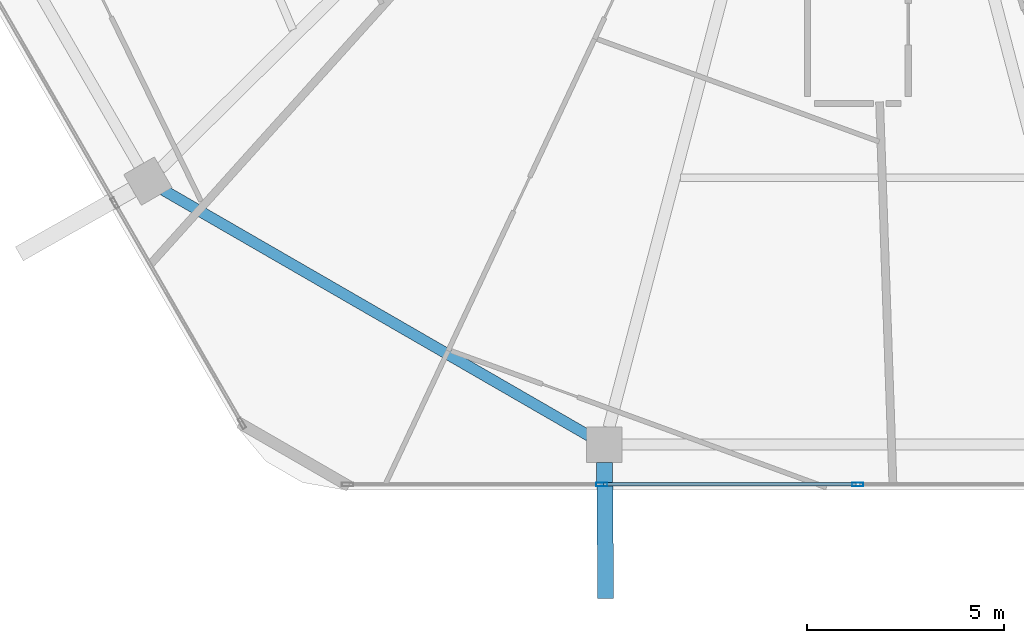
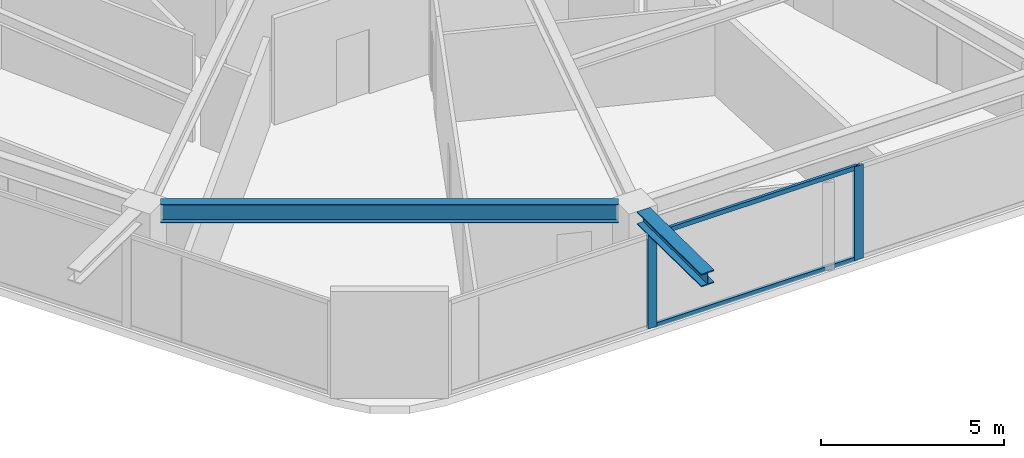
# One storey, part 3 of 25: 4 members, 2 beams, 1 element without a shape of its own.
"""IFC4 building model written with IfcOpenShell, lengths in metres."""

from ifc_helpers import new_model, si_unit, direction, frame, origin, origin_2d, place, context, subcontext, project, spatial, hollow_rectangle, i_section, extrude, material, material_profile, profile_set, type_object, element, aggregate, save


model = new_model("IFC4")

# Units and contexts
model_context = context("Model", 3, precision=1e-05, world=origin(), true_north=direction((0.0, 1.0)))
body_context = subcontext(model_context, "Body", "Model", "MODEL_VIEW")
ifc_project = project(units=[si_unit("LENGTHUNIT", "METRE"), si_unit("AREAUNIT", "SQUARE_METRE"), si_unit("VOLUMEUNIT", "CUBIC_METRE"), si_unit("PLANEANGLEUNIT", "RADIAN"), si_unit("MASSUNIT", "GRAM", prefix="KILO")], contexts=[model_context])

# Site, building, storey
site_placement = place(None, origin())
site = spatial("IfcSite", under=ifc_project, at=site_placement, CompositionType="ELEMENT")
building_placement = place(site_placement, origin())
building = spatial("IfcBuilding", under=site, at=building_placement, Name="Zuhravey Tower", CompositionType="ELEMENT")
storey_placement = place(building_placement, frame((0.0, 0.0, 235.0)))
storey = spatial("IfcBuildingStorey", under=building, at=storey_placement, Name="L59", CompositionType="ELEMENT", Elevation=235.0)

# Curtain wall, members
ifc_material_1 = material(Name="Thermally broken anodised aluminium", Category="aluminium")
curtain_wall_type = type_object("IfcCurtainWallType", Name="Zone 3-4 High-Rise Curtain Wall CW4", PredefinedType="NOTDEFINED", material=ifc_material_1)
curtain_wall_placement = place(storey_placement, origin())
curtain_wall = element("IfcCurtainWall", 1, at=curtain_wall_placement, inside=storey, type_object=curtain_wall_type, Name="L59 CW4 CW-L59-F5-1", PredefinedType="NOTDEFINED")
ifc_material_2 = material(Name="Anodised aluminium", Category="aluminium")
ifc_material_profile_1 = material_profile(ifc_material_2, hollow_rectangle(XDim=0.090087890625, YDim=0.284912109375, WallThickness=0.0048828125, at=origin_2d()), Name="ALU-RHS-90x285x5")
ifc_profile_set_1 = profile_set([ifc_material_profile_1], Name="Anodised aluminium")
member_type_1 = type_object("IfcMemberType", Name="Curtain-Wall Mullion 90x180", PredefinedType="MULLION", material=ifc_profile_set_1)
member_1_placement = place(storey_placement, frame((36.0, 6.436279296875, 0.0), z_axis=(0.0, 0.0, 1.0), x_axis=(0.0, -1.0, 0.0)))
member_1 = element("IfcMember", 2, at=member_1_placement, type_object=member_type_1, Name="CW4 mullion 3", PredefinedType="MULLION", context=body_context, shape_type="SweptSolid", body=[
    extrude(hollow_rectangle(XDim=0.090087890625, YDim=0.284912109375, WallThickness=0.0048828125, at=origin_2d()), origin(), (0.0, 0.0, 1.0), 3.1220703125),
])
member_2_placement = place(storey_placement, frame((29.49365234375, 6.436279296875, 0.0), z_axis=(0.0, 0.0, 1.0), x_axis=(0.0, -1.0, 0.0)))
member_2 = element("IfcMember", 3, at=member_2_placement, type_object=member_type_1, Name="CW4 mullion 4", PredefinedType="MULLION", context=body_context, shape_type="SweptSolid", body=[
    extrude(hollow_rectangle(XDim=0.090087890625, YDim=0.284912109375, WallThickness=0.0048828125, at=origin_2d()), origin(), (0.0, 0.0, 1.0), 3.1220703125),
])
ifc_material_profile_2 = material_profile(ifc_material_2, hollow_rectangle(XDim=0.090087890625, YDim=0.14990234375, WallThickness=0.0048828125, at=origin_2d()), Name="ALU-RHS-90x150x5")
ifc_profile_set_2 = profile_set([ifc_material_profile_2], Name="Anodised aluminium")
member_type_2 = type_object("IfcMemberType", Name="Curtain-Wall Transom 90x150", PredefinedType="USERDEFINED", material=ifc_profile_set_2)
member_3_placement = place(storey_placement, frame((35.955078125, 6.436279296875, 0.044921875), z_axis=(-1.0, 0.0, 0.0), x_axis=(0.0, -1.0, 0.0)))
member_3 = element("IfcMember", 4, at=member_3_placement, type_object=member_type_2, Name="CW4 transom 3.1", ObjectType="TRANSOM", PredefinedType="USERDEFINED", context=body_context, shape_type="SweptSolid", body=[
    extrude(hollow_rectangle(XDim=0.090087890625, YDim=0.14990234375, WallThickness=0.0048828125, at=origin_2d()), origin(), (0.0, 0.0, 1.0), 6.41650390625),
])
member_4_placement = place(storey_placement, frame((35.955078125, 6.436279296875, 3.076904296875), z_axis=(-1.0, 0.0, 0.0), x_axis=(0.0, -1.0, 0.0)))
member_4 = element("IfcMember", 5, at=member_4_placement, type_object=member_type_2, Name="CW4 transom 3.2", ObjectType="TRANSOM", PredefinedType="USERDEFINED", context=body_context, shape_type="SweptSolid", body=[
    extrude(hollow_rectangle(XDim=0.090087890625, YDim=0.14990234375, WallThickness=0.0048828125, at=origin_2d()), origin(), (0.0, 0.0, 1.0), 6.41650390625),
])
aggregate(curtain_wall, [member_1, member_2, member_3, member_4])

# Beams
ifc_material_3 = material(Name="Steel SM460", Category="steel")
ifc_material_profile_3 = material_profile(ifc_material_3, i_section(OverallWidth=0.406982421875, OverallDepth=0.427978515625, WebThickness=0.02001953125, FlangeThickness=0.034912109375, at=origin_2d()), Name="H-428x407x20x35")
ifc_profile_set_3 = profile_set([ifc_material_profile_3], Name="Steel SM460")
beam_type_1 = type_object("IfcBeamType", Name="Exoskeleton Node Tie Beam H428x407", PredefinedType="BEAM", material=ifc_profile_set_3)
beam_1_placement = place(storey_placement, frame((29.56298828125, 6.992431640625, 3.3359375), z_axis=(0.008489258993, -0.999963965592, 0.0), x_axis=(0.999963965592, 0.008489258993, 0.0)))
element("IfcBeam", 6, at=beam_1_placement, inside=storey, type_object=beam_type_1, Name="L59 Exoskeleton Node Tie NT1-09", PredefinedType="BEAM", context=body_context, shape_type="SweptSolid", body=[
    extrude(i_section(OverallWidth=0.406982421875, OverallDepth=0.427978515625, WebThickness=0.02001953125, FlangeThickness=0.034912109375, at=origin_2d()), origin(), (0.0, 0.0, 1.0), 3.451171875),
])
ifc_material_4 = material(Name="Steel SM355", Category="steel")
ifc_material_profile_4 = material_profile(ifc_material_4, i_section(OverallWidth=0.280029296875, OverallDepth=0.6201171875, WebThickness=0.011962890625, FlangeThickness=0.02001953125, at=origin_2d()), Name="H-620x280x12x20")
ifc_profile_set_4 = profile_set([ifc_material_profile_4], Name="Steel SM355")
beam_type_2 = type_object("IfcBeamType", Name="Perimeter Ring Beam H620x280", PredefinedType="BEAM", material=ifc_profile_set_4)
beam_2_placement = place(storey_placement, frame((18.3486328125, 13.918701171875, 3.239990234375), z_axis=(0.866025131093, -0.500000472315, 0.0), x_axis=(0.500000472315, 0.866025131093, 0.0)))
element("IfcBeam", 7, at=beam_2_placement, inside=storey, type_object=beam_type_2, Name="L59 PB3 BM-L59-PB-08", PredefinedType="BEAM", context=body_context, shape_type="SweptSolid", body=[
    extrude(i_section(OverallWidth=0.280029296875, OverallDepth=0.6201171875, WebThickness=0.011962890625, FlangeThickness=0.02001953125, at=origin_2d()), origin(), (0.0, 0.0, 1.0), 12.49169921875),
])

save(model, "model.ifc")
